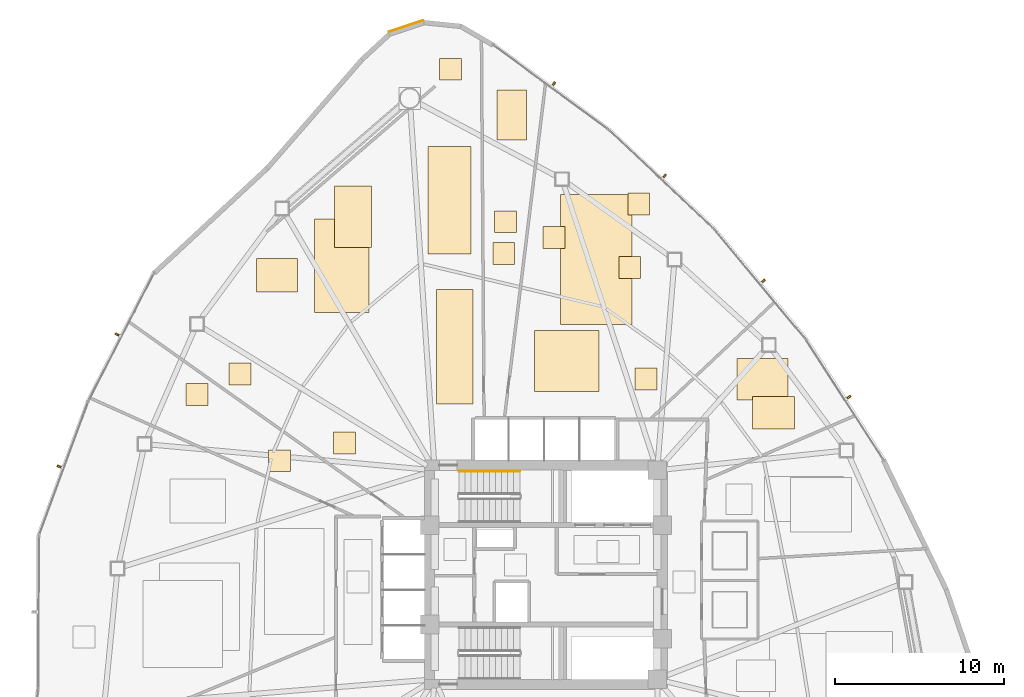
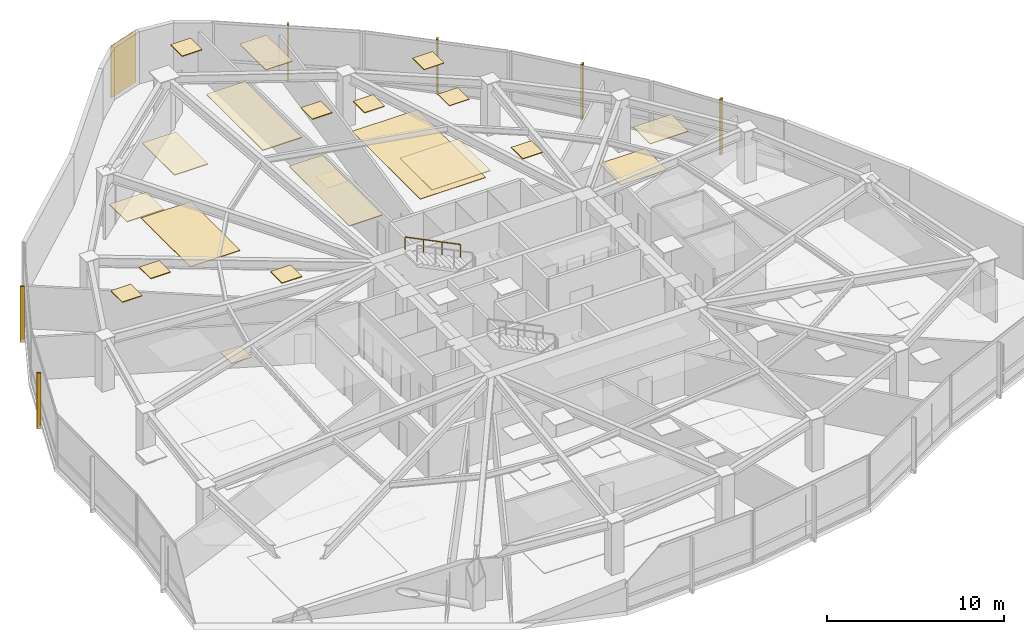
# One storey, part 18 of 18: 22 coverings, 6 shading devices, 1 railing.
"""IFC4 building model written with IfcOpenShell, lengths in metres."""

from ifc_helpers import new_model, si_unit, direction, frame, origin, origin_2d, place, context, subcontext, project, spatial, polyline, rectangle, outline, extrude, source, transform, mapped, material, layer, layer_set, type_object, type_shapes, element, save


model = new_model("IFC4")

# Units and contexts
model_context = context("Model", 3, precision=1e-05, world=origin(), true_north=direction((0.0, 1.0)))
body_context = subcontext(model_context, "Body", "Model", "MODEL_VIEW")
ifc_project = project(units=[si_unit("LENGTHUNIT", "METRE"), si_unit("AREAUNIT", "SQUARE_METRE"), si_unit("VOLUMEUNIT", "CUBIC_METRE"), si_unit("PLANEANGLEUNIT", "RADIAN"), si_unit("MASSUNIT", "GRAM", prefix="KILO")], contexts=[model_context])

# Site, building, storey
site_placement = place(None, origin())
site = spatial("IfcSite", under=ifc_project, at=site_placement, CompositionType="ELEMENT")
building_placement = place(site_placement, origin())
building = spatial("IfcBuilding", under=site, at=building_placement, Name="Tavelor Broadcast Tower", CompositionType="ELEMENT")
storey_placement = place(building_placement, frame((0.0, 0.0, 51.0)))
storey = spatial("IfcBuildingStorey", under=building, at=storey_placement, Name="L11", CompositionType="ELEMENT", Elevation=51.0)

# Covering
ifc_material_1 = material(Name="Copper-Bronze Anodized Aluminium", Category="aluminium")
ifc_layer_1 = layer(ifc_material_1, 0.050048828125)
ifc_layer_set_1 = layer_set([ifc_layer_1], Name="Copper-Bronze Anodized Aluminium")
covering_type_1 = type_object("IfcCoveringType", Name="Champagne-Bronze Corner Pier Metal Cladding 50 mm", PredefinedType="CLADDING", material=ifc_layer_set_1)
covering_1_placement = place(storey_placement, frame((41.70166015625, 77.55078125, 0.02001953125), z_axis=(0.0, 0.0, 1.0), x_axis=(-0.948600194626, -0.316476967182, 0.0)))
element("IfcCovering", 1, at=covering_1_placement, inside=storey, type_object=covering_type_1, Name="L11 Champagne-Bronze Corner Cladding 03", PredefinedType="CLADDING", context=body_context, shape_type="SweptSolid", body=[
    extrude(rectangle(XDim=2.146484375, YDim=0.050048828125, at=origin_2d()), origin(), (0.0, 0.0, 1.0), 3.56005859375),
])

# Railing
ifc_material_2 = material(Name="Steel S355", Category="steel")
railing_type = type_object("IfcRailingType", Name="Continuous Brushed Stainless Handrail 900 mm", PredefinedType="HANDRAIL", material=ifc_material_2)
railing_placement = place(storey_placement, frame((48.449951171875, 51.14990234375, 2.127197265625)))
element("IfcRailing", 2, at=railing_placement, inside=storey, type_object=railing_type, Name="L11 ST1 stair handrail 2", PredefinedType="HANDRAIL", context=body_context, shape_type="SweptSolid", body=[
    extrude(rectangle(XDim=0.048095703125, YDim=0.048095703125, at=origin_2d()), frame((0.0, 0.0, 0.8759765625), z_axis=(-0.897124305991, 0.0, 0.441778201817), x_axis=(0.0, -1.0, 0.0)), (0.0, 0.0, 1.0), 4.0126953125),
    extrude(rectangle(XDim=0.0419921875, YDim=0.0419921875, at=origin_2d()), origin(), (0.0, 0.0, 1.0), 0.851806640625),
    extrude(rectangle(XDim=0.0419921875, YDim=0.0419921875, at=origin_2d()), frame((-1.199951171875, 0.0, 0.5908203125)), (0.0, 0.0, 1.0), 0.851806640625),
    extrude(rectangle(XDim=0.0419921875, YDim=0.0419921875, at=origin_2d()), frame((-2.39990234375, 0.0, 1.181884765625)), (0.0, 0.0, 1.0), 0.851806640625),
    extrude(rectangle(XDim=0.0419921875, YDim=0.0419921875, at=origin_2d()), frame((-3.599853515625, 0.0, 1.772705078125)), (0.0, 0.0, 1.0), 0.851806640625),
])

# Coverings
ifc_material_3 = material(Name="Acoustic Nylon Carpet Tile")
ifc_layer_2 = layer(ifc_material_3, 0.02001953125)
ifc_layer_set_2 = layer_set([ifc_layer_2], Name="Acoustic Nylon Carpet Tile")
covering_type_2 = type_object("IfcCoveringType", Name="Heavy-Duty Acoustic Broadcast Carpet Tile 20 mm", PredefinedType="FLOORING", material=ifc_layer_set_2)
covering_2_placement = place(storey_placement, origin())
element("IfcCovering", 3, at=covering_2_placement, inside=storey, type_object=covering_type_2, Name="L11 Broadcast Floor Finish 0147", PredefinedType="FLOORING", context=body_context, shape_type="SweptSolid", body=[
    extrude(outline(polyline([(50.851806640625, 59.84765625), (55.11669921875, 59.84765625), (55.11669921875, 67.553466796875), (50.851806640625, 67.553466796875), (50.851806640625, 59.84765625)])), origin(), (0.0, 0.0, 1.0), 0.02001953125),
])
covering_3_placement = place(storey_placement, origin())
element("IfcCovering", 4, at=covering_3_placement, inside=storey, type_object=covering_type_2, Name="L11 Broadcast Floor Finish 0148", PredefinedType="FLOORING", context=body_context, shape_type="SweptSolid", body=[
    extrude(outline(polyline([(61.34326171875, 55.376708984375), (64.369140625, 55.376708984375), (64.369140625, 57.819580078125), (61.34326171875, 57.819580078125), (61.34326171875, 55.376708984375)])), origin(), (0.0, 0.0, 1.0), 0.02001953125),
])
ifc_material_4 = material(Name="Acoustic Hardwood Studio Flooring", Category="wood")
ifc_layer_3 = layer(ifc_material_4, 0.034912109375)
ifc_layer_set_3 = layer_set([ifc_layer_3], Name="Acoustic Hardwood Studio Flooring")
covering_type_3 = type_object("IfcCoveringType", Name="Isolated Studio Acoustic Elastomeric Floor Finish 35 mm", PredefinedType="FLOORING", material=ifc_layer_set_3)
covering_4_placement = place(storey_placement, origin())
element("IfcCovering", 5, at=covering_4_placement, inside=storey, type_object=covering_type_3, Name="L11 Broadcast Floor Finish 0144", PredefinedType="FLOORING", context=body_context, shape_type="SweptSolid", body=[
    extrude(outline(polyline([(33.537109375, 51.114990234375), (34.8369140625, 51.114990234375), (34.8369140625, 52.4150390625), (33.537109375, 52.4150390625), (33.537109375, 51.114990234375)])), origin(), (0.0, 0.0, 1.0), 0.034912109375),
])
covering_5_placement = place(storey_placement, origin())
element("IfcCovering", 6, at=covering_5_placement, inside=storey, type_object=covering_type_3, Name="L11 Broadcast Floor Finish 0145", PredefinedType="FLOORING", context=body_context, shape_type="SweptSolid", body=[
    extrude(outline(polyline([(36.264404296875, 60.55322265625), (39.514404296875, 60.55322265625), (39.514404296875, 66.10400390625), (36.264404296875, 66.10400390625), (36.264404296875, 60.55322265625)])), origin(), (0.0, 0.0, 1.0), 0.034912109375),
])
covering_6_placement = place(storey_placement, origin())
element("IfcCovering", 7, at=covering_6_placement, inside=storey, type_object=covering_type_3, Name="L11 Broadcast Floor Finish 0146", PredefinedType="FLOORING", context=body_context, shape_type="SweptSolid", body=[
    extrude(outline(polyline([(46.850830078125, 63.39892578125), (48.15087890625, 63.39892578125), (48.15087890625, 64.698974609375), (46.850830078125, 64.698974609375), (46.850830078125, 63.39892578125)])), origin(), (0.0, 0.0, 1.0), 0.034912109375),
])
ifc_material_5 = material(Name="Acoustic Perforated Timber Baffle", Category="wood")
ifc_layer_4 = layer(ifc_material_5, 0.054931640625)
ifc_layer_set_4 = layer_set([ifc_layer_4], Name="Acoustic Perforated Timber Baffle")
covering_type_4 = type_object("IfcCoveringType", Name="Micro-Perforated Acoustic Baffle Studio Ceiling 55 mm", PredefinedType="CEILING", material=ifc_layer_set_4)
covering_7_placement = place(storey_placement, frame((0.0, 0.0, 3.544921875)))
element("IfcCovering", 8, at=covering_7_placement, inside=storey, type_object=covering_type_4, Name="L11 Suspended Acoustic Ceiling 0406", PredefinedType="CEILING", context=body_context, shape_type="SweptSolid", body=[
    extrude(outline(polyline([(28.65625, 55.0517578125), (29.956298828125, 55.0517578125), (29.956298828125, 56.351806640625), (28.65625, 56.351806640625), (28.65625, 55.0517578125)])), origin(), (0.0, 0.0, 1.0), 0.05517578125),
])
covering_8_placement = place(storey_placement, frame((0.0, 0.0, 3.544921875)))
element("IfcCovering", 9, at=covering_8_placement, inside=storey, type_object=covering_type_4, Name="L11 Suspended Acoustic Ceiling 0407", PredefinedType="CEILING", context=body_context, shape_type="SweptSolid", body=[
    extrude(outline(polyline([(32.84033203125, 61.7822265625), (35.2724609375, 61.7822265625), (35.2724609375, 63.76416015625), (32.84033203125, 63.76416015625), (32.84033203125, 61.7822265625)])), origin(), (0.0, 0.0, 1.0), 0.05517578125),
])
covering_9_placement = place(storey_placement, frame((0.0, 0.0, 3.544921875)))
element("IfcCovering", 10, at=covering_9_placement, inside=storey, type_object=covering_type_4, Name="L11 Suspended Acoustic Ceiling 0408", PredefinedType="CEILING", context=body_context, shape_type="SweptSolid", body=[
    extrude(outline(polyline([(37.46337890625, 64.42236328125), (39.65283203125, 64.42236328125), (39.65283203125, 68.059814453125), (37.46337890625, 68.059814453125), (37.46337890625, 64.42236328125)])), origin(), (0.0, 0.0, 1.0), 0.05517578125),
])
covering_10_placement = place(storey_placement, frame((0.0, 0.0, 3.544921875)))
element("IfcCovering", 11, at=covering_10_placement, inside=storey, type_object=covering_type_4, Name="L11 Suspended Acoustic Ceiling 0409", PredefinedType="CEILING", context=body_context, shape_type="SweptSolid", body=[
    extrude(outline(polyline([(43.001220703125, 64.03515625), (45.542724609375, 64.03515625), (45.542724609375, 70.407470703125), (43.001220703125, 70.407470703125), (43.001220703125, 64.03515625)])), origin(), (0.0, 0.0, 1.0), 0.05517578125),
])
covering_11_placement = place(storey_placement, frame((0.0, 0.0, 3.544921875)))
element("IfcCovering", 12, at=covering_11_placement, inside=storey, type_object=covering_type_4, Name="L11 Suspended Acoustic Ceiling 0410", PredefinedType="CEILING", context=body_context, shape_type="SweptSolid", body=[
    extrude(outline(polyline([(43.692626953125, 74.341552734375), (44.99267578125, 74.341552734375), (44.99267578125, 75.6416015625), (43.692626953125, 75.6416015625), (43.692626953125, 74.341552734375)])), origin(), (0.0, 0.0, 1.0), 0.05517578125),
])
covering_12_placement = place(storey_placement, frame((0.0, 0.0, 3.544921875)))
element("IfcCovering", 13, at=covering_12_placement, inside=storey, type_object=covering_type_4, Name="L11 Suspended Acoustic Ceiling 0411", PredefinedType="CEILING", context=body_context, shape_type="SweptSolid", body=[
    extrude(outline(polyline([(43.51171875, 55.144775390625), (45.674560546875, 55.144775390625), (45.674560546875, 61.934326171875), (43.51171875, 61.934326171875), (43.51171875, 55.144775390625)])), origin(), (0.0, 0.0, 1.0), 0.05517578125),
])
covering_13_placement = place(storey_placement, frame((0.0, 0.0, 3.544921875)))
element("IfcCovering", 14, at=covering_13_placement, inside=storey, type_object=covering_type_4, Name="L11 Suspended Acoustic Ceiling 0412", PredefinedType="CEILING", context=body_context, shape_type="SweptSolid", body=[
    extrude(outline(polyline([(37.4130859375, 52.178955078125), (38.712890625, 52.178955078125), (38.712890625, 53.47900390625), (37.4130859375, 53.47900390625), (37.4130859375, 52.178955078125)])), origin(), (0.0, 0.0, 1.0), 0.05517578125),
])
covering_14_placement = place(storey_placement, frame((0.0, 0.0, 3.544921875)))
element("IfcCovering", 15, at=covering_14_placement, inside=storey, type_object=covering_type_4, Name="L11 Suspended Acoustic Ceiling 0413", PredefinedType="CEILING", context=body_context, shape_type="SweptSolid", body=[
    extrude(outline(polyline([(31.20751953125, 56.26708984375), (32.50732421875, 56.26708984375), (32.50732421875, 57.56689453125), (31.20751953125, 57.56689453125), (31.20751953125, 56.26708984375)])), origin(), (0.0, 0.0, 1.0), 0.05517578125),
])
covering_15_placement = place(storey_placement, frame((0.0, 0.0, 3.544921875)))
element("IfcCovering", 16, at=covering_15_placement, inside=storey, type_object=covering_type_4, Name="L11 Suspended Acoustic Ceiling 0414", PredefinedType="CEILING", context=body_context, shape_type="SweptSolid", body=[
    extrude(outline(polyline([(46.960693359375, 65.29248046875), (48.2607421875, 65.29248046875), (48.2607421875, 66.592529296875), (46.960693359375, 66.592529296875), (46.960693359375, 65.29248046875)])), origin(), (0.0, 0.0, 1.0), 0.05517578125),
])
covering_16_placement = place(storey_placement, frame((0.0, 0.0, 3.544921875)))
element("IfcCovering", 17, at=covering_16_placement, inside=storey, type_object=covering_type_4, Name="L11 Suspended Acoustic Ceiling 0415", PredefinedType="CEILING", context=body_context, shape_type="SweptSolid", body=[
    extrude(outline(polyline([(47.105224609375, 70.80712890625), (48.849853515625, 70.80712890625), (48.849853515625, 73.757080078125), (47.105224609375, 73.757080078125), (47.105224609375, 70.80712890625)])), origin(), (0.0, 0.0, 1.0), 0.05517578125),
])
ifc_material_6 = material(Name="Acoustic Mineral Fibre Tile")
ifc_layer_5 = layer(ifc_material_6, 0.0400390625)
ifc_layer_set_5 = layer_set([ifc_layer_5], Name="Acoustic Mineral Fibre Tile")
covering_type_5 = type_object("IfcCoveringType", Name="Suspended Acoustic Mineral-Fibre Office Ceiling 40 mm", PredefinedType="CEILING", material=ifc_layer_set_5)
covering_17_placement = place(storey_placement, frame((0.0, 0.0, 3.56005859375)))
element("IfcCovering", 18, at=covering_17_placement, inside=storey, type_object=covering_type_5, Name="L11 Suspended Acoustic Ceiling 0416", PredefinedType="CEILING", context=body_context, shape_type="SweptSolid", body=[
    extrude(outline(polyline([(54.859619140625, 66.356201171875), (56.15966796875, 66.356201171875), (56.15966796875, 67.65625), (54.859619140625, 67.65625), (54.859619140625, 66.356201171875)])), origin(), (0.0, 0.0, 1.0), 0.0400390625),
])
covering_18_placement = place(storey_placement, frame((0.0, 0.0, 3.56005859375)))
element("IfcCovering", 19, at=covering_18_placement, inside=storey, type_object=covering_type_5, Name="L11 Suspended Acoustic Ceiling 0417", PredefinedType="CEILING", context=body_context, shape_type="SweptSolid", body=[
    extrude(outline(polyline([(55.294921875, 55.96728515625), (56.594970703125, 55.96728515625), (56.594970703125, 57.267333984375), (55.294921875, 57.267333984375), (55.294921875, 55.96728515625)])), origin(), (0.0, 0.0, 1.0), 0.0400390625),
])
covering_19_placement = place(storey_placement, frame((0.0, 0.0, 3.56005859375)))
element("IfcCovering", 20, at=covering_19_placement, inside=storey, type_object=covering_type_5, Name="L11 Suspended Acoustic Ceiling 0418", PredefinedType="CEILING", context=body_context, shape_type="SweptSolid", body=[
    extrude(outline(polyline([(49.318115234375, 55.872314453125), (53.139892578125, 55.872314453125), (53.139892578125, 59.500732421875), (49.318115234375, 59.500732421875), (49.318115234375, 55.872314453125)])), origin(), (0.0, 0.0, 1.0), 0.0400390625),
])
covering_20_placement = place(storey_placement, frame((0.0, 0.0, 3.56005859375)))
element("IfcCovering", 21, at=covering_20_placement, inside=storey, type_object=covering_type_5, Name="L11 Suspended Acoustic Ceiling 0419", PredefinedType="CEILING", context=body_context, shape_type="SweptSolid", body=[
    extrude(outline(polyline([(49.8330078125, 64.360595703125), (51.1328125, 64.360595703125), (51.1328125, 65.660400390625), (49.8330078125, 65.660400390625), (49.8330078125, 64.360595703125)])), origin(), (0.0, 0.0, 1.0), 0.0400390625),
])
covering_21_placement = place(storey_placement, frame((0.0, 0.0, 3.56005859375)))
element("IfcCovering", 22, at=covering_21_placement, inside=storey, type_object=covering_type_5, Name="L11 Suspended Acoustic Ceiling 0420", PredefinedType="CEILING", context=body_context, shape_type="SweptSolid", body=[
    extrude(outline(polyline([(54.32470703125, 62.56884765625), (55.62451171875, 62.56884765625), (55.62451171875, 63.868896484375), (54.32470703125, 63.868896484375), (54.32470703125, 62.56884765625)])), origin(), (0.0, 0.0, 1.0), 0.0400390625),
])
covering_22_placement = place(storey_placement, frame((0.0, 0.0, 3.56005859375)))
element("IfcCovering", 23, at=covering_22_placement, inside=storey, type_object=covering_type_5, Name="L11 Suspended Acoustic Ceiling 0421", PredefinedType="CEILING", context=body_context, shape_type="SweptSolid", body=[
    extrude(outline(polyline([(62.264892578125, 53.637451171875), (64.74755859375, 53.637451171875), (64.74755859375, 55.5673828125), (62.264892578125, 55.5673828125), (62.264892578125, 53.637451171875)])), origin(), (0.0, 0.0, 1.0), 0.0400390625),
])

# Shading devices
ifc_material_7 = material(Name="Kiln-Fired Glazed Terracotta", Category="masonry")
shading_device_type = type_object("IfcShadingDeviceType", Name="Extruded Terracotta Baguette Sun-Screen 110x240", PredefinedType="JALOUSIE", material=ifc_material_7)
shared_shape = source(origin(), body_context, "Body", "SweptSolid", [
    extrude(rectangle(XDim=0.110107421875, YDim=0.239990234375, at=origin_2d()), origin(), (0.0, 0.0, 1.0), 3.840087890625),
])
type_shapes(shading_device_type, [shared_shape])
for number, where, z_axis, x_axis, name in (
    (24, (24.5537109375, 59.2607421875, -0.26025390625), (0.0, 0.0, 1.0), (-0.456787434334, -0.889575876378, 0.0), "L11 Terracotta Baguette Fin 85"),
    (25, (21.115478515625, 51.427978515625, -0.26025390625), (0.0, 0.0, 1.0), (-0.34562577382, -0.938372433776, 0.0), "L11 Terracotta Baguette Fin 86"),
    (26, (67.98095703125, 55.545654296875, -0.26025390625), (0.0, 0.0, 1.0), (-0.542148255651, 0.84028285053, 0.0), "L11 Terracotta Baguette Fin 93"),
    (27, (62.916748046875, 62.439697265625, -0.26025390625), (0.0, 0.0, 1.0), (-0.639707339446, 0.768618578918, 0.0), "L11 Terracotta Baguette Fin 94"),
    (28, (57.0556640625, 68.670166015625, -0.26025390625), (0.0, 0.0, 1.0), (-0.728131751529, 0.685437198009, 0.0), "L11 Terracotta Baguette Fin 95"),
    (29, (50.4833984375, 74.1455078125, -0.26025390625), (0.0, 0.0, 1.0), (-0.805721581569, 0.592294464767, 0.0), "L11 Terracotta Baguette Fin 96"),
):
    element("IfcShadingDevice", number, at=place(storey_placement, frame(where, z_axis=z_axis, x_axis=x_axis)), inside=storey, type_object=shading_device_type, Name=name, PredefinedType="JALOUSIE", context=body_context, shape_type="MappedRepresentation", body=[
        mapped(shared_shape, transform((0.0, 0.0, 0.0), scale=1.0)),
    ])

save(model, "model.ifc")
